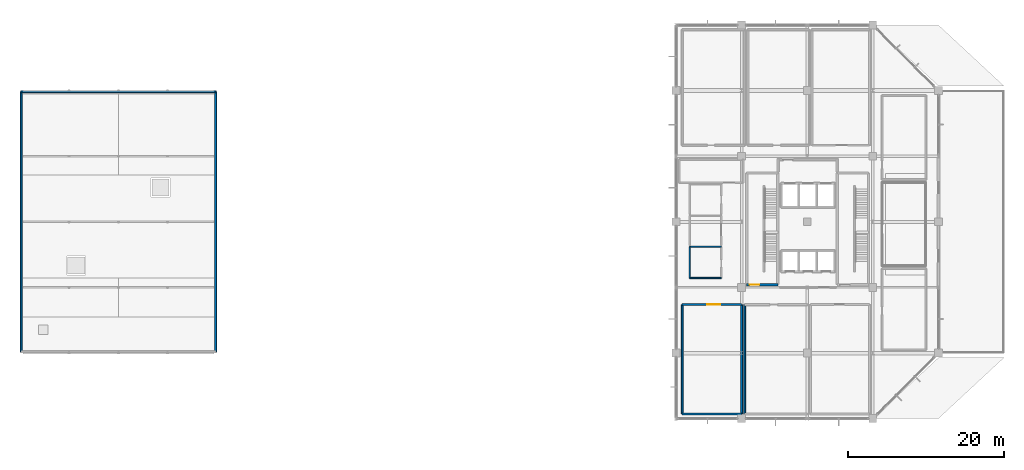
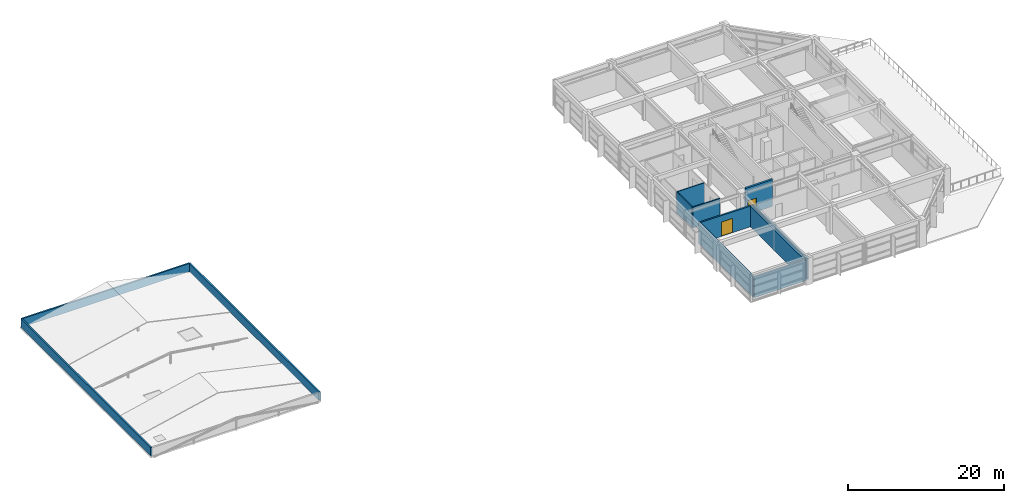
# One storey, part 16 of 21: 12 walls, 2 doors, 2 openings.
"""IFC4 building model written with IfcOpenShell, lengths in metres."""

from ifc_helpers import new_model, si_unit, direction, frame, frame_2d, origin, place, context, subcontext, project, spatial, rectangle, extrude, material, layer, layer_set, type_object, element, fill, save


model = new_model("IFC4")

# Units and contexts
model_context = context("Model", 3, precision=1e-05, world=origin(), true_north=direction((0.0, 1.0)))
body_context = subcontext(model_context, "Body", "Model", "MODEL_VIEW")
ifc_project = project(units=[si_unit("LENGTHUNIT", "METRE"), si_unit("AREAUNIT", "SQUARE_METRE"), si_unit("VOLUMEUNIT", "CUBIC_METRE"), si_unit("PLANEANGLEUNIT", "RADIAN"), si_unit("MASSUNIT", "GRAM", prefix="KILO")], contexts=[model_context])

# Site, building, storey
site_placement = place(None, origin())
site = spatial("IfcSite", under=ifc_project, at=site_placement, CompositionType="ELEMENT")
building_placement = place(site_placement, origin())
building = spatial("IfcBuilding", under=site, at=building_placement, Name="Xuanlan Plaza Opera House", CompositionType="ELEMENT")
storey_placement = place(building_placement, frame((0.0, 0.0, 44.699951171875)))
storey = spatial("IfcBuildingStorey", under=building, at=storey_placement, Name="L10", CompositionType="ELEMENT", Elevation=44.699951171875)

# Walls
ifc_material_1 = material(Name="Concrete C40", Category="concrete")
ifc_layer_1 = layer(ifc_material_1, 0.22998046875)
ifc_layer_set_1 = layer_set([ifc_layer_1], Name="Concrete C40")
wall_type_1 = type_object("IfcWallType", Name="ENV-WL-PRP-02", PredefinedType="PARAPET", material=ifc_layer_set_1)
wall_1_placement = place(storey_placement, frame((67.050048828125, 42.14990234375, 0.0), z_axis=(0.0, 0.0, 1.0), x_axis=(0.0, 1.0, 0.0)))
element("IfcWall", 1, at=wall_1_placement, inside=storey, type_object=wall_type_1, Name="Roof Parapet Wall FLY-02", PredefinedType="PARAPET", context=body_context, shape_type="SweptSolid", body=[
    extrude(rectangle(XDim=33.300048828125, YDim=0.22998046875, at=frame_2d((16.64990234375, 0.0))), origin(), (0.0, 0.0, 1.0), 1.300048828125),
])
wall_2_placement = place(storey_placement, frame((67.050048828125, 75.449951171875, 0.0), z_axis=(0.0, 0.0, 1.0), x_axis=(-1.0, 0.0, 0.0)))
element("IfcWall", 2, at=wall_2_placement, inside=storey, type_object=wall_type_1, Name="Roof Parapet Wall FLY-03", PredefinedType="PARAPET", context=body_context, shape_type="SweptSolid", body=[
    extrude(rectangle(XDim=24.900146484375, YDim=0.22998046875, at=frame_2d((12.4501953125, 0.0))), origin(), (0.0, 0.0, 1.0), 1.300048828125),
])
wall_3_placement = place(storey_placement, frame((42.14990234375, 75.449951171875, 0.0), z_axis=(0.0, 0.0, 1.0), x_axis=(0.0, -1.0, 0.0)))
element("IfcWall", 3, at=wall_3_placement, inside=storey, type_object=wall_type_1, Name="Roof Parapet Wall FLY-04", PredefinedType="PARAPET", context=body_context, shape_type="SweptSolid", body=[
    extrude(rectangle(XDim=33.300048828125, YDim=0.22998046875, at=frame_2d((16.64990234375, 0.0))), origin(), (0.0, 0.0, 1.0), 1.300048828125),
])
ifc_material_2 = material(Name="Gypsum Board and Galvanised Steel Studs", Category="gypsum")
ifc_layer_2 = layer(ifc_material_2, 0.239990234375)
ifc_layer_set_2 = layer_set([ifc_layer_2], Name="Gypsum Board and Galvanised Steel Studs")
wall_type_2 = type_object("IfcWallType", Name="INT-WL-PW-01", PredefinedType="PARTITIONING", material=ifc_layer_set_2)
wall_4_placement = place(storey_placement, frame((126.800048828125, 34.199951171875, 0.0), z_axis=(0.0, 0.0, 1.0), x_axis=(1.0, 0.0, 0.0)))
element("IfcWall", 4, at=wall_4_placement, inside=storey, type_object=wall_type_2, Name="Conservatoire Practice Studio 1 Wall South", PredefinedType="PARTITIONING", context=body_context, shape_type="SweptSolid", body=[
    extrude(rectangle(XDim=7.599853515625, YDim=0.239990234375, at=frame_2d((3.7998046875, 0.0))), origin(), (0.0, 0.0, 1.0), 3.239990234375),
])

# Wall, opening, door
wall_5_placement = place(storey_placement, frame((126.800048828125, 48.199951171875, 0.0), z_axis=(0.0, 0.0, 1.0), x_axis=(1.0, 0.0, 0.0)))
wall_5 = element("IfcWall", 5, at=wall_5_placement, inside=storey, type_object=wall_type_2, Name="Conservatoire Practice Studio 1 Wall North", PredefinedType="PARTITIONING", context=body_context, shape_type="SweptSolid", body=[
    extrude(rectangle(XDim=7.599853515625, YDim=0.239990234375, at=frame_2d((3.7998046875, 0.0))), origin(), (0.0, 0.0, 1.0), 3.239990234375),
])
opening_1_placement = place(wall_5_placement, frame((3.199951171875, 0.0, 0.0)))
opening_1 = element("IfcOpeningElement", 6, at=opening_1_placement, cuts=wall_5, Name="Opening D-14", PredefinedType="OPENING", context=body_context, shape_type="SweptSolid", body=[
    extrude(rectangle(XDim=1.679931640625, YDim=2.239990234375, at=frame_2d((0.83984375, 1.1201171875))), frame((0.0, 0.1298828125, 0.0), z_axis=(0.0, -1.0, 0.0), x_axis=(1.0, 0.0, 0.0)), (0.0, 0.0, 1.0), 0.260009765625),
])
ifc_material_3 = material(Name="Oak Hardwood Timber", Category="wood")
door_type_1 = type_object("IfcDoorType", Name="INT-DR-D-14", OperationType="DOUBLE_DOOR_SINGLE_SWING", PredefinedType="DOOR", material=ifc_material_3)
door_1_placement = place(opening_1_placement, origin())
door_1 = element("IfcDoor", 7, at=door_1_placement, inside=storey, type_object=door_type_1, Name="Conservatoire Practice Studio 1 Door 1", OperationType="DOUBLE_DOOR_SINGLE_SWING", OverallHeight=2.239990234375, OverallWidth=1.679931640625, PredefinedType="DOOR", context=body_context, shape_type="SweptSolid", body=[
    extrude(rectangle(XDim=1.679931640625, YDim=2.239990234375, at=frame_2d((0.83984375, 1.1201171875))), frame((0.0, 0.02490234375, 0.0), z_axis=(0.0, -1.0, 0.0), x_axis=(1.0, 0.0, 0.0)), (0.0, 0.0, 1.0), 0.050048828125),
])
fill(opening_1, door_1)

# Walls
for number, where, z_axis, x_axis, name in (
    (8, (126.800048828125, 34.199951171875, 0.0), (0.0, 0.0, 1.0), (0.0, 1.0, 0.0), "Conservatoire Practice Studio 1 Wall West"),
    (9, (134.39990234375, 34.199951171875, 0.0), (0.0, 0.0, 1.0), (0.0, 1.0, 0.0), "Conservatoire Practice Studio 1 Wall East"),
    (10, (134.800048828125, 34.199951171875, 0.0), (0.0, 0.0, 1.0), (0.0, 1.0, 0.0), "Conservatoire Practice Studio 2 Wall West"),
):
    element("IfcWall", number, at=place(storey_placement, frame(where, z_axis=z_axis, x_axis=x_axis)), inside=storey, type_object=wall_type_2, Name=name, PredefinedType="PARTITIONING", context=body_context, shape_type="SweptSolid", body=[
        extrude(rectangle(XDim=14.0, YDim=0.239990234375, at=frame_2d((7.0, 0.0))), origin(), (0.0, 0.0, 1.0), 3.239990234375),
    ])
ifc_material_4 = material(Name="Autoclaved Aerated Blockwork Masonry", Category="masonry")
ifc_layer_3 = layer(ifc_material_4, 0.14990234375)
ifc_layer_set_3 = layer_set([ifc_layer_3], Name="Autoclaved Aerated Blockwork Masonry")
wall_type_3 = type_object("IfcWallType", Name="INT-WL-PW-03", PredefinedType="PARTITIONING", material=ifc_layer_set_3)
for number, where, z_axis, x_axis, name in (
    (11, (127.75, 51.60009765625, 0.0), (0.0, 0.0, 1.0), (1.0, 0.0, 0.0), "Public WC Wall South"),
    (12, (127.75, 55.60009765625, 0.0), (0.0, 0.0, 1.0), (1.0, 0.0, 0.0), "Public WC Wall North"),
):
    element("IfcWall", number, at=place(storey_placement, frame(where, z_axis=z_axis, x_axis=x_axis)), inside=storey, type_object=wall_type_3, Name=name, PredefinedType="PARTITIONING", context=body_context, shape_type="SweptSolid", body=[
        extrude(rectangle(XDim=4.050048828125, YDim=0.14990234375, at=frame_2d((2.02490234375, 0.0))), origin(), (0.0, 0.0, 1.0), 3.239990234375),
    ])
wall_6_placement = place(storey_placement, frame((127.75, 51.60009765625, 0.0), z_axis=(0.0, 0.0, 1.0), x_axis=(0.0, 1.0, 0.0)))
element("IfcWall", 13, at=wall_6_placement, inside=storey, type_object=wall_type_3, Name="Public WC Wall West", PredefinedType="PARTITIONING", context=body_context, shape_type="SweptSolid", body=[
    extrude(rectangle(XDim=4.0, YDim=0.14990234375, at=frame_2d((2.0, 0.0))), origin(), (0.0, 0.0, 1.0), 3.239990234375),
])

# Wall, opening, door
ifc_layer_4 = layer(ifc_material_1, 0.300048828125)
ifc_layer_set_4 = layer_set([ifc_layer_4], Name="Concrete C40")
wall_type_4 = type_object("IfcWallType", Name="INT-WL-SW-ST1", PredefinedType="SHEAR", material=ifc_layer_set_4)
wall_7_placement = place(storey_placement, frame((135.050048828125, 50.75, 0.0), z_axis=(0.0, 0.0, 1.0), x_axis=(1.0, 0.0, 0.0)))
wall_7 = element("IfcWall", 14, at=wall_7_placement, inside=storey, type_object=wall_type_4, Name="Stair Core Wall ST-T1 L10 South", PredefinedType="SHEAR", context=body_context, shape_type="SweptSolid", body=[
    extrude(rectangle(XDim=4.0, YDim=0.300048828125, at=frame_2d((2.0, 0.0))), origin(), (0.0, 0.0, 1.0), 4.199951171875),
])
opening_2_placement = place(wall_7_placement, frame((0.375, 0.0, 0.0)))
opening_2 = element("IfcOpeningElement", 15, at=opening_2_placement, cuts=wall_7, Name="Opening FD-ST1", PredefinedType="OPENING", context=body_context, shape_type="SweptSolid", body=[
    extrude(rectangle(XDim=1.25, YDim=2.14990234375, at=frame_2d((0.625, 1.074951171875))), frame((0.0, 0.159912109375, 0.0), z_axis=(0.0, -1.0, 0.0), x_axis=(1.0, 0.0, 0.0)), (0.0, 0.0, 1.0), 0.320068359375),
])
ifc_material_5 = material(Name="Galvanised Steel Q235B", Category="steel")
door_type_2 = type_object("IfcDoorType", Name="INT-DR-FD-ST1", OperationType="NOTDEFINED", PredefinedType="DOOR", material=ifc_material_5)
door_2_placement = place(opening_2_placement, origin())
door_2 = element("IfcDoor", 16, at=door_2_placement, inside=storey, type_object=door_type_2, Name="Stair Enclosure Fire Door ST-T1 L10", OperationType="SINGLE_SWING_LEFT", OverallHeight=2.14990234375, OverallWidth=1.25, PredefinedType="DOOR", context=body_context, shape_type="SweptSolid", body=[
    extrude(rectangle(XDim=1.25, YDim=2.14990234375, at=frame_2d((0.625, 1.074951171875))), frame((0.0, 0.02490234375, 0.0), z_axis=(0.0, -1.0, 0.0), x_axis=(1.0, 0.0, 0.0)), (0.0, 0.0, 1.0), 0.050048828125),
])
fill(opening_2, door_2)

save(model, "model.ifc")
